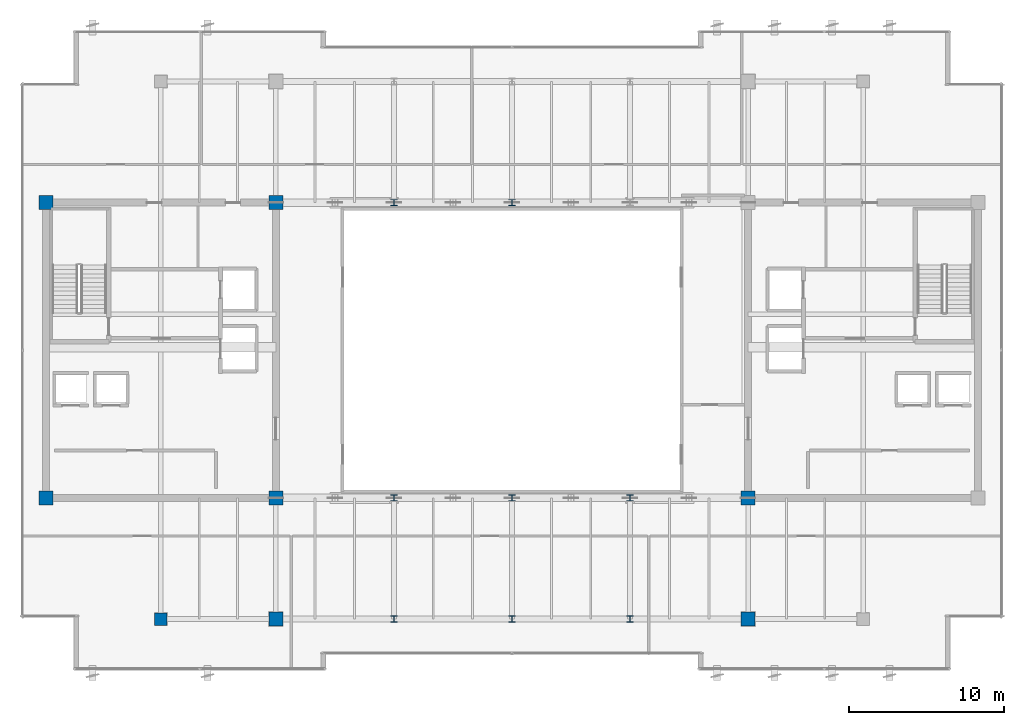
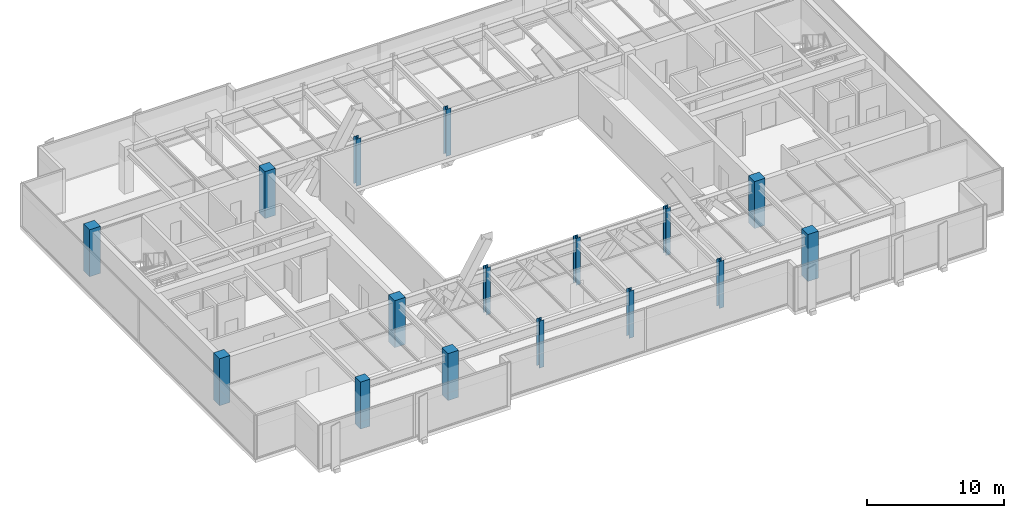
# One storey, part 1 of 32: 16 columns.
"""IFC4 building model written with IfcOpenShell, lengths in metres."""

from ifc_helpers import new_model, si_unit, direction, frame, origin, origin_2d, place, context, subcontext, project, spatial, rectangle, i_section, extrude, source, transform, mapped, material, material_profile, profile_set, type_object, type_shapes, element, save


model = new_model("IFC4")

# Units and contexts
model_context = context("Model", 3, precision=1e-05, world=origin(), true_north=direction((0.0, 1.0)))
body_context = subcontext(model_context, "Body", "Model", "MODEL_VIEW")
ifc_project = project(units=[si_unit("LENGTHUNIT", "METRE"), si_unit("AREAUNIT", "SQUARE_METRE"), si_unit("VOLUMEUNIT", "CUBIC_METRE"), si_unit("PLANEANGLEUNIT", "RADIAN"), si_unit("MASSUNIT", "GRAM", prefix="KILO")], contexts=[model_context])

# Site, building, storey
site_placement = place(None, origin())
site = spatial("IfcSite", under=ifc_project, at=site_placement, CompositionType="ELEMENT")
building_placement = place(site_placement, origin())
building = spatial("IfcBuilding", under=site, at=building_placement, Name="Haelvirn Gate Laboratories", CompositionType="ELEMENT")
storey_placement = place(building_placement, frame((0.0, 0.0, 306.0)))
storey = spatial("IfcBuildingStorey", under=building, at=storey_placement, Name="L73", CompositionType="ELEMENT", Elevation=306.0)

# Columns
ifc_material_1 = material(Name="Concrete C50/60", Category="concrete")
ifc_material_profile_1 = material_profile(ifc_material_1, rectangle(XDim=0.800048828125, YDim=0.800048828125, at=origin_2d()), Name="RC-800x800")
ifc_profile_set_1 = profile_set([ifc_material_profile_1], Name="Concrete C50/60")
column_type_1 = type_object("IfcColumnType", Name="COL-RC-800", PredefinedType="COLUMN", material=ifc_profile_set_1)
shared_shape_1 = source(origin(), body_context, "Body", "SweptSolid", [
    extrude(rectangle(XDim=0.800048828125, YDim=0.800048828125, at=origin_2d()), origin(), (0.0, 0.0, 1.0), 4.199951171875),
])
type_shapes(column_type_1, [shared_shape_1])
column_placement = place(storey_placement, frame((14.800048828125, 7.0, 0.0), z_axis=(0.0, 0.0, 1.0), x_axis=(1.0, 0.0, 0.0)))
element("IfcColumn", 1, at=column_placement, inside=storey, type_object=column_type_1, Name="L73 Column 3B", PredefinedType="COLUMN", context=body_context, shape_type="MappedRepresentation", body=[
    mapped(shared_shape_1, transform((0.0, 0.0, 0.0), scale=1.0)),
])
ifc_material_profile_2 = material_profile(ifc_material_1, rectangle(XDim=0.89990234375, YDim=0.89990234375, at=origin_2d()), Name="RC-900x900")
ifc_profile_set_2 = profile_set([ifc_material_profile_2], Name="Concrete C50/60")
column_type_2 = type_object("IfcColumnType", Name="COL-RC-900", PredefinedType="COLUMN", material=ifc_profile_set_2)
shared_shape_2 = source(origin(), body_context, "Body", "SweptSolid", [
    extrude(rectangle(XDim=0.89990234375, YDim=0.89990234375, at=origin_2d()), origin(), (0.0, 0.0, 1.0), 4.199951171875),
])
type_shapes(column_type_2, [shared_shape_2])
for number, where, z_axis, x_axis, name in (
    (2, (22.199951171875, 7.0, 0.0), (0.0, 0.0, 1.0), (1.0, 0.0, 0.0), "L73 Column 4B"),
    (3, (7.39990234375, 14.800048828125, 0.0), (0.0, 0.0, 1.0), (1.0, 0.0, 0.0), "L73 Column 2C"),
    (4, (22.199951171875, 14.800048828125, 0.0), (0.0, 0.0, 1.0), (1.0, 0.0, 0.0), "L73 Column 4C"),
    (5, (7.39990234375, 33.800048828125, 0.0), (0.0, 0.0, 1.0), (1.0, 0.0, 0.0), "L73 Column 2F"),
    (6, (22.199951171875, 33.800048828125, 0.0), (0.0, 0.0, 1.0), (1.0, 0.0, 0.0), "L73 Column 4F"),
    (7, (52.60009765625, 7.0, 0.0), (0.0, 0.0, 1.0), (1.0, 0.0, 0.0), "L73 Column 8B"),
    (8, (52.60009765625, 14.800048828125, 0.0), (0.0, 0.0, 1.0), (1.0, 0.0, 0.0), "L73 Column 8C"),
):
    element("IfcColumn", number, at=place(storey_placement, frame(where, z_axis=z_axis, x_axis=x_axis)), inside=storey, type_object=column_type_2, Name=name, PredefinedType="COLUMN", context=body_context, shape_type="MappedRepresentation", body=[
        mapped(shared_shape_2, transform((0.0, 0.0, 0.0), scale=1.0)),
    ])
ifc_material_2 = material(Name="Steel SM355", Category="steel")
ifc_material_profile_3 = material_profile(ifc_material_2, i_section(OverallWidth=0.39990234375, OverallDepth=0.39990234375, WebThickness=0.02099609375, FlangeThickness=0.02099609375, at=origin_2d()), Name="H-400x400x21x21")
ifc_profile_set_3 = profile_set([ifc_material_profile_3], Name="Steel SM355")
column_type_3 = type_object("IfcColumnType", Name="COL-H-400", PredefinedType="COLUMN", material=ifc_profile_set_3)
shared_shape_3 = source(origin(), body_context, "Body", "SweptSolid", [
    extrude(i_section(OverallWidth=0.39990234375, OverallDepth=0.39990234375, WebThickness=0.02099609375, FlangeThickness=0.02099609375, at=origin_2d()), origin(), (0.0, 0.0, 1.0), 4.199951171875),
])
type_shapes(column_type_3, [shared_shape_3])
for number, where, z_axis, x_axis, name in (
    (9, (29.800048828125, 7.0, 0.0), (0.0, 0.0, 1.0), (1.0, 0.0, 0.0), "L73 Column 5B"),
    (10, (29.800048828125, 14.800048828125, 0.0), (0.0, 0.0, 1.0), (1.0, 0.0, 0.0), "L73 Column 5C"),
    (11, (29.800048828125, 33.800048828125, 0.0), (0.0, 0.0, 1.0), (1.0, 0.0, 0.0), "L73 Column 5F"),
    (12, (37.39990234375, 7.0, 0.0), (0.0, 0.0, 1.0), (1.0, 0.0, 0.0), "L73 Column 6B"),
    (13, (37.39990234375, 14.800048828125, 0.0), (0.0, 0.0, 1.0), (1.0, 0.0, 0.0), "L73 Column 6C"),
    (14, (37.39990234375, 33.800048828125, 0.0), (0.0, 0.0, 1.0), (1.0, 0.0, 0.0), "L73 Column 6F"),
    (15, (45.0, 7.0, 0.0), (0.0, 0.0, 1.0), (1.0, 0.0, 0.0), "L73 Column 7B"),
    (16, (45.0, 14.800048828125, 0.0), (0.0, 0.0, 1.0), (1.0, 0.0, 0.0), "L73 Column 7C"),
):
    element("IfcColumn", number, at=place(storey_placement, frame(where, z_axis=z_axis, x_axis=x_axis)), inside=storey, type_object=column_type_3, Name=name, PredefinedType="COLUMN", context=body_context, shape_type="MappedRepresentation", body=[
        mapped(shared_shape_3, transform((0.0, 0.0, 0.0), scale=1.0)),
    ])

save(model, "model.ifc")
